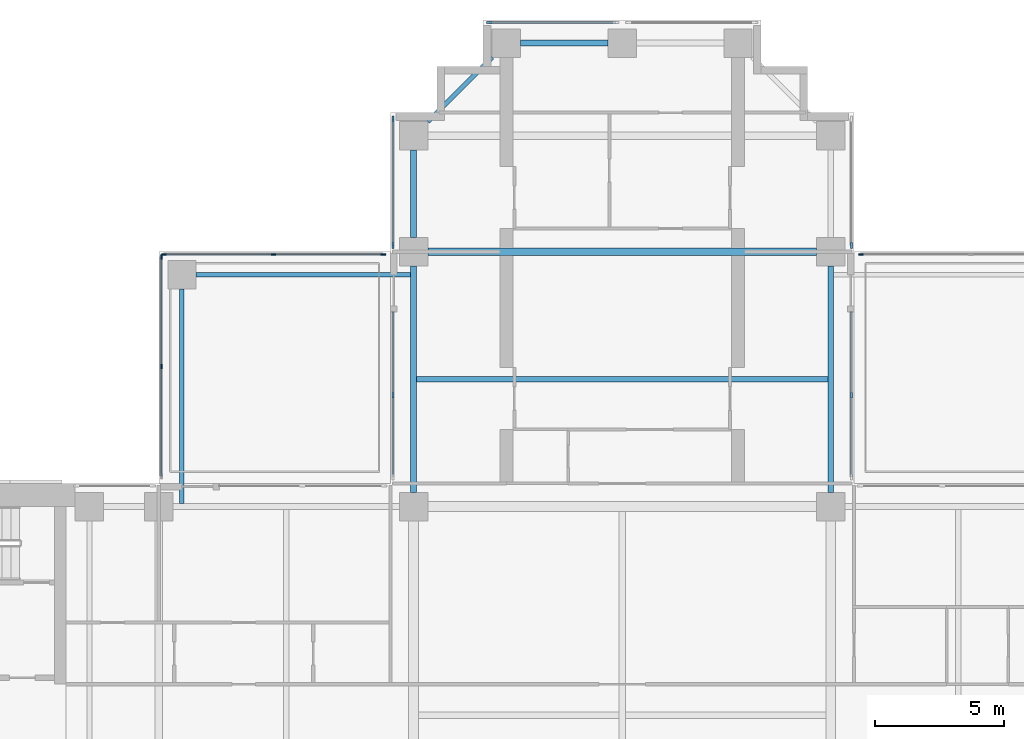
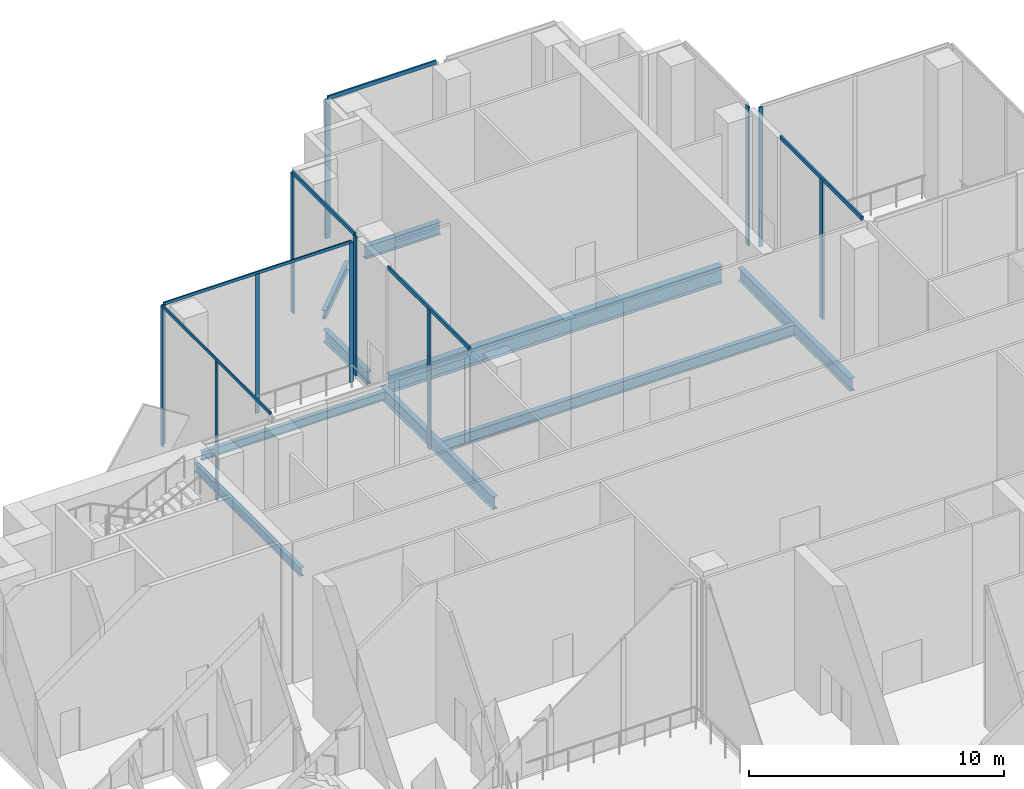
# One storey, part 5 of 17: 18 members, 9 beams, 8 elements without a shape of their own.
"""IFC4 building model written with IfcOpenShell, lengths in metres."""

import ifcopenshell
import ifcopenshell.guid

model = None  # the IFC model being written
_history = None  # IfcOwnerHistory: only IFC2X3 demands one
_inside = {}  # id of a spatial element -> (the spatial element, [elements in it])
_under = {}  # id of a project, library or spatial element -> (it, [spatial elements below it])
_declared = {}  # id of a project -> (the project, [libraries it declares])
_typed = {}  # id of a type object -> (the type object, [elements of that type])
_made_of = {}  # id of a material, layer set ... -> (it, [elements and type objects made of it])


def new_model(schema):
    """Start an empty IFC model of exactly this schema.

    Asked for "IFC4X3", IfcOpenShell would pick the latest addendum, in which some entities
    have other attributes; the version numbers below select the first issue.
    IFC2X3 requires an IfcOwnerHistory on every rooted entity: one is made here for all.
    """
    global model, _history
    if schema == "IFC4X3":
        model = ifcopenshell.file(schema_version=(4, 3, 0, 0))
    else:
        model = ifcopenshell.file(schema=schema)
    _inside.clear()
    _under.clear()
    _declared.clear()
    _typed.clear()
    _made_of.clear()
    _history = None
    if model.schema == "IFC2X3":
        org = make("IfcOrganization", Name="unknown")
        user = make(
            "IfcPersonAndOrganization",
            ThePerson=make("IfcPerson", FamilyName="unknown"),
            TheOrganization=org,
        )
        app = make(
            "IfcApplication",
            ApplicationDeveloper=org,
            Version="unknown",
            ApplicationFullName="unknown",
            ApplicationIdentifier="unknown",
        )
        _history = make(
            "IfcOwnerHistory",
            OwningUser=user,
            OwningApplication=app,
            ChangeAction="ADDED",
            CreationDate=0,
        )
    return model


def make(cls, **values):
    """One entity of the class cls with the attributes given. An attribute that is None is left unset."""
    return model.create_entity(
        cls, **{name: value for name, value in values.items() if value is not None}
    )


def rooted(cls, **values):
    """An entity with a GlobalId (a new one), such as an element, a storey or a relation."""
    return make(cls, GlobalId=ifcopenshell.guid.new(), OwnerHistory=_history, **values)


def si_unit(unit_type, name, prefix=None):
    """IfcSIUnit, for example si_unit("LENGTHUNIT", "METRE", prefix="MILLI")."""
    return make("IfcSIUnit", UnitType=unit_type, Prefix=prefix, Name=name)


def assignment(units):
    """IfcUnitAssignment: the units of a project."""
    return None if units is None else make("IfcUnitAssignment", Units=units)


def point(xyz):
    """IfcCartesianPoint."""
    return None if xyz is None else make("IfcCartesianPoint", Coordinates=xyz)


def direction(xyz):
    """IfcDirection."""
    return None if xyz is None else make("IfcDirection", DirectionRatios=xyz)


def frame(location, z_axis=None, x_axis=None):
    """IfcAxis2Placement3D, a coordinate frame: its origin and axes. An axis left out is left unset."""
    return make(
        "IfcAxis2Placement3D",
        Location=point(location),
        Axis=direction(z_axis),
        RefDirection=direction(x_axis),
    )


def frame_2d(location, x_axis=None):
    """IfcAxis2Placement2D, a coordinate frame in the plane: its origin and x axis."""
    return make(
        "IfcAxis2Placement2D", Location=point(location), RefDirection=direction(x_axis)
    )


def origin():
    """The frame at (0, 0, 0) with its axes left unset."""
    return frame((0.0, 0.0, 0.0))


def origin_2d():
    """The frame at (0, 0) in the plane with its x axis left unset."""
    return frame_2d((0.0, 0.0))


def place(relative_to, where):
    """IfcLocalPlacement: puts the frame where relative to a parent placement (None: the world)."""
    return make(
        "IfcLocalPlacement", PlacementRelTo=relative_to, RelativePlacement=where
    )


def context(
    kind, dimensions, precision=None, world=None, true_north=None, identifier=None
):
    """IfcGeometricRepresentationContext, for example the 3D "Model" context."""
    return make(
        "IfcGeometricRepresentationContext",
        ContextIdentifier=identifier,
        ContextType=kind,
        CoordinateSpaceDimension=dimensions,
        Precision=precision,
        WorldCoordinateSystem=world,
        TrueNorth=true_north,
    )


def subcontext(parent, identifier, kind, view, scale=None):
    """IfcGeometricRepresentationSubContext, for example "Body" below "Model"."""
    return make(
        "IfcGeometricRepresentationSubContext",
        ContextIdentifier=identifier,
        ContextType=kind,
        ParentContext=parent,
        TargetScale=scale,
        TargetView=view,
    )


def project(units=None, contexts=None):
    """IfcProject with its units and contexts."""
    return rooted(
        "IfcProject",
        Name="project",
        RepresentationContexts=contexts,
        UnitsInContext=assignment(units),
    )


def spatial(cls, under=None, at=None, **own):
    """A site, building, storey or space (cls), placed at a placement, below another one or the project."""
    s = rooted(cls, ObjectPlacement=at, **own)
    if under is not None:
        _under.setdefault(under.id(), (under, []))[1].append(s)
    return s


def profile(cls, at=None, kind="AREA", **sizes):
    """A parametric profile (cls). Its sizes go by their IFC names, for example OverallWidth=200.0."""
    return make(cls, ProfileType=kind, Position=at, **sizes)


def rectangle(**sizes):
    """IfcRectangleProfileDef."""
    return profile("IfcRectangleProfileDef", **sizes)


def i_section(**sizes):
    """IfcIShapeProfileDef."""
    return profile("IfcIShapeProfileDef", **sizes)


def extrude(swept, where, along, depth):
    """IfcExtrudedAreaSolid: the profile swept, set in the frame where, extruded along a direction by depth."""
    return make(
        "IfcExtrudedAreaSolid",
        SweptArea=swept,
        Position=where,
        ExtrudedDirection=direction(along),
        Depth=depth,
    )


def shape(context_of_items, identifier, shape_type, items):
    """IfcShapeRepresentation: the items that make up one representation, for example the "Body"."""
    return make(
        "IfcShapeRepresentation",
        ContextOfItems=context_of_items,
        RepresentationIdentifier=identifier,
        RepresentationType=shape_type,
        Items=items,
    )


def material(Name=None, Category=None):
    """IfcMaterial."""
    return make("IfcMaterial", Name=Name, Category=Category)


def material_profile(
    of_material, cross_section, Name=None, Category=None, Priority=None
):
    """IfcMaterialProfile: a cross section and its material."""
    return make(
        "IfcMaterialProfile",
        Name=Name,
        Material=of_material,
        Profile=cross_section,
        Priority=Priority,
        Category=Category,
    )


def profile_set(profiles, Name=None, composite=None):
    """IfcMaterialProfileSet."""
    return make(
        "IfcMaterialProfileSet",
        Name=Name,
        MaterialProfiles=profiles,
        CompositeProfile=composite,
    )


def made_of(thing, what):
    """Note that an element or type object is made of a material, layer set ...; save() writes the relation."""
    if what is not None:
        _made_of.setdefault(what.id(), (what, []))[1].append(thing)
    return thing


def type_object(cls, material=None, **own):
    """A type object (cls), such as IfcWallType, which elements share."""
    return made_of(rooted(cls, **own), material)


def element(
    cls,
    number,
    at=None,
    inside=None,
    cuts=None,
    type_object=None,
    material=None,
    context=None,
    identifier="Body",
    shape_type=None,
    held_by="IfcProductDefinitionShape",
    body=None,
    shapes=None,
    **own,
):
    """One element of the class cls, such as IfcWall. Its Tag is "e" and its number.

    at: its placement. inside: the storey or other place that contains it. cuts: it is an
    opening in that element (IfcRelVoidsElement). A single representation is given by context,
    identifier, shape_type and body (its items); several are given by shapes. held_by: the class
    of the entity that holds the representations. save() writes the other relations.
    """
    e = rooted(cls, Tag="e%d" % number, ObjectPlacement=at, **own)
    if body is not None:
        shapes = [shape(context, identifier, shape_type, body)]
    if shapes is not None:
        e.Representation = make(held_by, Representations=shapes)
    if inside is not None:
        _inside.setdefault(inside.id(), (inside, []))[1].append(e)
    if cuts is not None:
        rooted(
            "IfcRelVoidsElement", RelatingBuildingElement=cuts, RelatedOpeningElement=e
        )
    if type_object is not None:
        _typed.setdefault(type_object.id(), (type_object, []))[1].append(e)
    return made_of(e, material)


def aggregate(whole, parts):
    """IfcRelAggregates: a whole, such as a stair, and the parts it consists of."""
    return rooted("IfcRelAggregates", RelatingObject=whole, RelatedObjects=parts)


def save(model, path):
    """Write the relations noted so far, then the file.

    IfcRelAggregates (storeys below a building ...), IfcRelContainedInSpatialStructure (elements
    in a storey), IfcRelDefinesByType, IfcRelAssociatesMaterial and IfcRelDeclares: one each for
    every whole, place, type object, material and project.
    """
    for whole, parts in _under.values():
        aggregate(whole, parts)
    for where, things in _inside.values():
        rooted(
            "IfcRelContainedInSpatialStructure",
            RelatedElements=things,
            RelatingStructure=where,
        )
    for kind, things in _typed.values():
        rooted("IfcRelDefinesByType", RelatedObjects=things, RelatingType=kind)
    for what, things in _made_of.values():
        rooted("IfcRelAssociatesMaterial", RelatedObjects=things, RelatingMaterial=what)
    for by, libraries in _declared.values():
        rooted("IfcRelDeclares", RelatingContext=by, RelatedDefinitions=libraries)
    model.write(path)


model = new_model("IFC4")

# Units and contexts
model_context = context("Model", 3, precision=1e-05, world=origin(), true_north=direction((0.0, 1.0)))
body_context = subcontext(model_context, "Body", "Model", "MODEL_VIEW")
ifc_project = project(units=[si_unit("LENGTHUNIT", "METRE"), si_unit("AREAUNIT", "SQUARE_METRE"), si_unit("VOLUMEUNIT", "CUBIC_METRE"), si_unit("PLANEANGLEUNIT", "RADIAN"), si_unit("MASSUNIT", "GRAM", prefix="KILO")], contexts=[model_context])

# Site, building, storey
site_placement = place(None, origin())
site = spatial("IfcSite", under=ifc_project, at=site_placement, CompositionType="ELEMENT")
building_placement = place(site_placement, origin())
building = spatial("IfcBuilding", under=site, at=building_placement, Name="Perihelion Cross Residences", CompositionType="ELEMENT")
storey_placement = place(building_placement, frame((0.0, 0.0, 154.89990234375)))
storey = spatial("IfcBuildingStorey", under=building, at=storey_placement, Name="L38", CompositionType="ELEMENT", Elevation=154.89990234375)

# Curtain wall, member
ifc_material_1 = material(Name="Bronze anodised aluminium, tinted glazing", Category="aluminium")
curtain_wall_type_1 = type_object("IfcCurtainWallType", Name="CW3", PredefinedType="NOTDEFINED", material=ifc_material_1)
curtain_wall_1_placement = place(storey_placement, origin())
curtain_wall_1 = element("IfcCurtainWall", 1, at=curtain_wall_1_placement, inside=storey, type_object=curtain_wall_type_1, Name="Curtain wall CW3 L38 north side east bay 1", PredefinedType="NOTDEFINED")
ifc_material_2 = material(Name="Bronze anodised aluminium", Category="aluminium")
ifc_material_profile_1 = material_profile(ifc_material_2, rectangle(XDim=0.080078125, YDim=0.219970703125, at=origin_2d()), Name="CW3 mullion")
ifc_profile_set_1 = profile_set([ifc_material_profile_1], Name="Bronze anodised aluminium")
member_type_1 = type_object("IfcMemberType", Name="CW3 mullion", PredefinedType="MULLION", material=ifc_profile_set_1)
member_1_placement = place(storey_placement, frame((8.89990234375, 12.425048828125, 0.0), z_axis=(0.0, 0.0, 1.0), x_axis=(-1.0, 0.0, 0.0)))
member_1 = element("IfcMember", 2, at=member_1_placement, type_object=member_type_1, Name="CW3 mullion 2", PredefinedType="MULLION", context=body_context, shape_type="SweptSolid", body=[
    extrude(rectangle(XDim=0.080078125, YDim=0.219970703125, at=origin_2d()), origin(), (0.0, 0.0, 1.0), 6.670166015625),
])

curtain_wall_2_placement = place(storey_placement, origin())
curtain_wall_2 = element("IfcCurtainWall", 3, at=curtain_wall_2_placement, inside=storey, type_object=curtain_wall_type_1, Name="Curtain wall CW3 L38 north side east bay 2", PredefinedType="NOTDEFINED")
member_2_placement = place(storey_placement, frame((8.89990234375, 18.239990234375, 0.0), z_axis=(0.0, 0.0, 1.0), x_axis=(-1.0, 0.0, 0.0)))
member_2 = element("IfcMember", 4, at=member_2_placement, type_object=member_type_1, Name="CW3 mullion 1", PredefinedType="MULLION", context=body_context, shape_type="SweptSolid", body=[
    extrude(rectangle(XDim=0.080078125, YDim=0.219970703125, at=origin_2d()), origin(), (0.0, 0.0, 1.0), 6.670166015625),
])
aggregate(curtain_wall_2, [member_2])

curtain_wall_3_placement = place(storey_placement, origin())
curtain_wall_3 = element("IfcCurtainWall", 5, at=curtain_wall_3_placement, inside=storey, type_object=curtain_wall_type_1, Name="Curtain wall CW3 L38 north tip north bay 2", PredefinedType="NOTDEFINED")
member_3_placement = place(storey_placement, frame((-5.159912109375, 26.89990234375, 0.0), z_axis=(0.0, 0.0, 1.0), x_axis=(0.0, -1.0, 0.0)))
member_3 = element("IfcMember", 6, at=member_3_placement, type_object=member_type_1, Name="CW3 mullion 2", PredefinedType="MULLION", context=body_context, shape_type="SweptSolid", body=[
    extrude(rectangle(XDim=0.080078125, YDim=0.219970703125, at=origin_2d()), origin(), (0.0, 0.0, 1.0), 6.670166015625),
])

# Curtain wall, members
curtain_wall_4_placement = place(storey_placement, origin())
curtain_wall_4 = element("IfcCurtainWall", 7, at=curtain_wall_4_placement, inside=storey, type_object=curtain_wall_type_1, Name="Curtain wall CW3 L38 north side west bay 1", PredefinedType="NOTDEFINED")
member_4_placement = place(storey_placement, frame((-8.89990234375, 23.159912109375, 0.0), z_axis=(0.0, 0.0, 1.0), x_axis=(1.0, 0.0, 0.0)))
member_4 = element("IfcMember", 8, at=member_4_placement, type_object=member_type_1, Name="CW3 mullion 1", PredefinedType="MULLION", context=body_context, shape_type="SweptSolid", body=[
    extrude(rectangle(XDim=0.080078125, YDim=0.219970703125, at=origin_2d()), origin(), (0.0, 0.0, 1.0), 6.670166015625),
])
member_5_placement = place(storey_placement, frame((-8.89990234375, 18.239990234375, 0.0), z_axis=(0.0, 0.0, 1.0), x_axis=(1.0, 0.0, 0.0)))
member_5 = element("IfcMember", 9, at=member_5_placement, type_object=member_type_1, Name="CW3 mullion 2", PredefinedType="MULLION", context=body_context, shape_type="SweptSolid", body=[
    extrude(rectangle(XDim=0.080078125, YDim=0.219970703125, at=origin_2d()), origin(), (0.0, 0.0, 1.0), 6.670166015625),
])

# Curtain wall, member
curtain_wall_5_placement = place(storey_placement, origin())
curtain_wall_5 = element("IfcCurtainWall", 10, at=curtain_wall_5_placement, inside=storey, type_object=curtain_wall_type_1, Name="Curtain wall CW3 L38 north side west bay 2", PredefinedType="NOTDEFINED")
member_6_placement = place(storey_placement, frame((-8.89990234375, 12.425048828125, 0.0), z_axis=(0.0, 0.0, 1.0), x_axis=(1.0, 0.0, 0.0)))
member_6 = element("IfcMember", 11, at=member_6_placement, type_object=member_type_1, Name="CW3 mullion 2", PredefinedType="MULLION", context=body_context, shape_type="SweptSolid", body=[
    extrude(rectangle(XDim=0.080078125, YDim=0.219970703125, at=origin_2d()), origin(), (0.0, 0.0, 1.0), 6.670166015625),
])

# Member
ifc_material_3 = material(Name="Bronze anodised aluminium", Category="aluminium")
ifc_material_profile_2 = material_profile(ifc_material_3, rectangle(XDim=0.080078125, YDim=0.179931640625, at=origin_2d()), Name="CW3 transom")
ifc_profile_set_2 = profile_set([ifc_material_profile_2], Name="Bronze anodised aluminium")
member_type_2 = type_object("IfcMemberType", Name="CW3 transom", PredefinedType="USERDEFINED", material=ifc_profile_set_2)
member_7_placement = place(storey_placement, frame((8.89990234375, 9.239990234375, 6.710205078125), z_axis=(0.0, 1.0, 0.0), x_axis=(-1.0, 0.0, 0.0)))
member_7 = element("IfcMember", 12, at=member_7_placement, type_object=member_type_2, Name="CW3 head transom", ObjectType="TRANSOM", PredefinedType="USERDEFINED", context=body_context, shape_type="SweptSolid", body=[
    extrude(rectangle(XDim=0.080078125, YDim=0.179931640625, at=origin_2d()), origin(), (0.0, 0.0, 1.0), 6.409912109375),
])

aggregate(curtain_wall_1, [member_1, member_7])

member_8_placement = place(storey_placement, frame((-0.239990234375, 26.89990234375, 6.710205078125), z_axis=(-1.0, 0.0, 0.0), x_axis=(0.0, -1.0, 0.0)))
member_8 = element("IfcMember", 13, at=member_8_placement, type_object=member_type_2, Name="CW3 head transom", ObjectType="TRANSOM", PredefinedType="USERDEFINED", context=body_context, shape_type="SweptSolid", body=[
    extrude(rectangle(XDim=0.080078125, YDim=0.179931640625, at=origin_2d()), origin(), (0.0, 0.0, 1.0), 4.919921875),
])

aggregate(curtain_wall_3, [member_3, member_8])

member_9_placement = place(storey_placement, frame((-8.89990234375, 23.159912109375, 6.710205078125), z_axis=(0.0, -1.0, 0.0), x_axis=(1.0, 0.0, 0.0)))
member_9 = element("IfcMember", 14, at=member_9_placement, type_object=member_type_2, Name="CW3 head transom", ObjectType="TRANSOM", PredefinedType="USERDEFINED", context=body_context, shape_type="SweptSolid", body=[
    extrude(rectangle(XDim=0.080078125, YDim=0.179931640625, at=origin_2d()), origin(), (0.0, 0.0, 1.0), 4.919921875),
])

aggregate(curtain_wall_4, [member_4, member_5, member_9])

member_10_placement = place(storey_placement, frame((-8.89990234375, 15.64990234375, 6.710205078125), z_axis=(0.0, -1.0, 0.0), x_axis=(1.0, 0.0, 0.0)))
member_10 = element("IfcMember", 15, at=member_10_placement, type_object=member_type_2, Name="CW3 head transom", ObjectType="TRANSOM", PredefinedType="USERDEFINED", context=body_context, shape_type="SweptSolid", body=[
    extrude(rectangle(XDim=0.080078125, YDim=0.179931640625, at=origin_2d()), origin(), (0.0, 0.0, 1.0), 6.409912109375),
])

aggregate(curtain_wall_5, [member_6, member_10])

# Curtain wall, member
ifc_material_4 = material(Name="Bronze anodised aluminium, tinted glazing", Category="aluminium")
curtain_wall_type_2 = type_object("IfcCurtainWallType", Name="CW4", PredefinedType="NOTDEFINED", material=ifc_material_4)
curtain_wall_6_placement = place(storey_placement, origin())
curtain_wall_6 = element("IfcCurtainWall", 16, at=curtain_wall_6_placement, inside=storey, type_object=curtain_wall_type_2, Name="Curtain wall CW4 L38 pocket north-east 1 1", PredefinedType="NOTDEFINED")
ifc_material_5 = material(Name="Bronze anodised aluminium", Category="aluminium")
ifc_material_profile_3 = material_profile(ifc_material_5, rectangle(XDim=0.06005859375, YDim=0.179931640625, at=origin_2d()), Name="CW4 mullion")
ifc_profile_set_3 = profile_set([ifc_material_profile_3], Name="Bronze anodised aluminium")
member_type_3 = type_object("IfcMemberType", Name="CW4 mullion", PredefinedType="MULLION", material=ifc_profile_set_3)
member_11_placement = place(storey_placement, frame((9.280029296875, 17.89990234375, 0.0), z_axis=(0.0, 0.0, 1.0), x_axis=(0.0, 1.0, 0.0)))
member_11 = element("IfcMember", 17, at=member_11_placement, type_object=member_type_3, Name="CW4 mullion 1", PredefinedType="MULLION", context=body_context, shape_type="SweptSolid", body=[
    extrude(rectangle(XDim=0.06005859375, YDim=0.179931640625, at=origin_2d()), origin(), (0.0, 0.0, 1.0), 6.690185546875),
])
aggregate(curtain_wall_6, [member_11])

# Curtain wall, members
curtain_wall_7_placement = place(storey_placement, origin())
curtain_wall_7 = element("IfcCurtainWall", 18, at=curtain_wall_7_placement, inside=storey, type_object=curtain_wall_type_2, Name="Curtain wall CW4 L38 pocket north-west 1 1", PredefinedType="NOTDEFINED")
member_12_placement = place(storey_placement, frame((-17.89990234375, 13.5400390625, 0.0), z_axis=(0.0, 0.0, 1.0), x_axis=(-1.0, 0.0, 0.0)))
member_12 = element("IfcMember", 19, at=member_12_placement, type_object=member_type_3, Name="CW4 mullion 2", PredefinedType="MULLION", context=body_context, shape_type="SweptSolid", body=[
    extrude(rectangle(XDim=0.06005859375, YDim=0.179931640625, at=origin_2d()), origin(), (0.0, 0.0, 1.0), 6.690185546875),
])
member_13_placement = place(storey_placement, frame((-17.89990234375, 17.800048828125, 0.0), z_axis=(0.0, 0.0, 1.0), x_axis=(-1.0, 0.0, 0.0)))
member_13 = element("IfcMember", 20, at=member_13_placement, type_object=member_type_3, Name="CW4 mullion 3", PredefinedType="MULLION", context=body_context, shape_type="SweptSolid", body=[
    extrude(rectangle(XDim=0.06005859375, YDim=0.179931640625, at=origin_2d()), origin(), (0.0, 0.0, 1.0), 6.690185546875),
])

curtain_wall_8_placement = place(storey_placement, origin())
curtain_wall_8 = element("IfcCurtainWall", 21, at=curtain_wall_8_placement, inside=storey, type_object=curtain_wall_type_2, Name="Curtain wall CW4 L38 pocket north-west 1 2", PredefinedType="NOTDEFINED")
member_14_placement = place(storey_placement, frame((-17.800048828125, 17.89990234375, 0.0), z_axis=(0.0, 0.0, 1.0), x_axis=(0.0, 1.0, 0.0)))
member_14 = element("IfcMember", 22, at=member_14_placement, type_object=member_type_3, Name="CW4 mullion 1", PredefinedType="MULLION", context=body_context, shape_type="SweptSolid", body=[
    extrude(rectangle(XDim=0.06005859375, YDim=0.179931640625, at=origin_2d()), origin(), (0.0, 0.0, 1.0), 6.690185546875),
])
member_15_placement = place(storey_placement, frame((-13.5400390625, 17.89990234375, 0.0), z_axis=(0.0, 0.0, 1.0), x_axis=(0.0, 1.0, 0.0)))
member_15 = element("IfcMember", 23, at=member_15_placement, type_object=member_type_3, Name="CW4 mullion 2", PredefinedType="MULLION", context=body_context, shape_type="SweptSolid", body=[
    extrude(rectangle(XDim=0.06005859375, YDim=0.179931640625, at=origin_2d()), origin(), (0.0, 0.0, 1.0), 6.690185546875),
])
member_16_placement = place(storey_placement, frame((-9.280029296875, 17.89990234375, 0.0), z_axis=(0.0, 0.0, 1.0), x_axis=(0.0, 1.0, 0.0)))
member_16 = element("IfcMember", 24, at=member_16_placement, type_object=member_type_3, Name="CW4 mullion 3", PredefinedType="MULLION", context=body_context, shape_type="SweptSolid", body=[
    extrude(rectangle(XDim=0.06005859375, YDim=0.179931640625, at=origin_2d()), origin(), (0.0, 0.0, 1.0), 6.690185546875),
])

# Member
ifc_material_6 = material(Name="Bronze anodised aluminium", Category="aluminium")
ifc_material_profile_4 = material_profile(ifc_material_6, rectangle(XDim=0.06005859375, YDim=0.139892578125, at=origin_2d()), Name="CW4 transom")
ifc_profile_set_4 = profile_set([ifc_material_profile_4], Name="Bronze anodised aluminium")
member_type_4 = type_object("IfcMemberType", Name="CW4 transom", PredefinedType="USERDEFINED", material=ifc_profile_set_4)
member_17_placement = place(storey_placement, frame((-17.89990234375, 9.280029296875, 6.72021484375), z_axis=(0.0, 1.0, 0.0), x_axis=(-1.0, 0.0, 0.0)))
member_17 = element("IfcMember", 25, at=member_17_placement, type_object=member_type_4, Name="CW4 head transom", ObjectType="TRANSOM", PredefinedType="USERDEFINED", context=body_context, shape_type="SweptSolid", body=[
    extrude(rectangle(XDim=0.06005859375, YDim=0.139892578125, at=origin_2d()), origin(), (0.0, 0.0, 1.0), 8.52001953125),
])

aggregate(curtain_wall_7, [member_12, member_13, member_17])

member_18_placement = place(storey_placement, frame((-17.800048828125, 17.89990234375, 6.72021484375), z_axis=(1.0, 0.0, 0.0), x_axis=(0.0, 1.0, 0.0)))
member_18 = element("IfcMember", 26, at=member_18_placement, type_object=member_type_4, Name="CW4 head transom", ObjectType="TRANSOM", PredefinedType="USERDEFINED", context=body_context, shape_type="SweptSolid", body=[
    extrude(rectangle(XDim=0.06005859375, YDim=0.139892578125, at=origin_2d()), origin(), (0.0, 0.0, 1.0), 8.52001953125),
])

aggregate(curtain_wall_8, [member_14, member_15, member_16, member_18])

# Beams
ifc_material_7 = material(Name="Steel S355", Category="steel")
ifc_material_profile_5 = material_profile(ifc_material_7, i_section(OverallWidth=0.177978515625, OverallDepth=0.406005859375, WebThickness=0.0078125, FlangeThickness=0.0126953125, at=origin_2d()), Name="W410x60")
ifc_profile_set_5 = profile_set([ifc_material_profile_5], Name="Steel S355")
beam_type_1 = type_object("IfcBeamType", Name="Core edge beam W410x60", PredefinedType="BEAM", material=ifc_profile_set_5)
for number, where, z_axis, x_axis, name in (
    (27, (-17.10009765625, 8.214599609375, -0.5029296875), (0.0, 1.0, 0.0), (-1.0, 0.0, 0.0), "Core edge beam TB2 L38 corner no. 3"),
    (28, (-8.214599609375, 17.10009765625, -0.5029296875), (-1.0, 0.0, 0.0), (0.0, -1.0, 0.0), "Core edge beam TB2 L38 corner no. 4"),
):
    element("IfcBeam", number, at=place(storey_placement, frame(where, z_axis=z_axis, x_axis=x_axis)), inside=storey, type_object=beam_type_1, Name=name, PredefinedType="BEAM", context=body_context, shape_type="SweptSolid", body=[
        extrude(i_section(OverallWidth=0.177978515625, OverallDepth=0.406005859375, WebThickness=0.0078125, FlangeThickness=0.0126953125, at=origin_2d()), origin(), (0.0, 0.0, 1.0), 8.33544921875),
    ])
ifc_material_8 = material(Name="Steel S355", Category="steel")
ifc_material_profile_6 = material_profile(ifc_material_8, i_section(OverallWidth=0.22900390625, OverallDepth=0.612060546875, WebThickness=0.011962890625, FlangeThickness=0.01953125, at=origin_2d()), Name="W610x125")
ifc_profile_set_6 = profile_set([ifc_material_profile_6], Name="Steel S355")
beam_type_2 = type_object("IfcBeamType", Name="Edge beam W610x125", PredefinedType="SPANDREL", material=ifc_profile_set_6)
beam_1_placement = place(storey_placement, frame((8.10009765625, 8.64990234375, -0.60595703125), z_axis=(0.0, 1.0, 0.0), x_axis=(-1.0, 0.0, 0.0)))
element("IfcBeam", 29, at=beam_1_placement, inside=storey, type_object=beam_type_2, Name="Edge beam SB3 L38 no. 18", PredefinedType="SPANDREL", context=body_context, shape_type="SweptSolid", body=[
    extrude(i_section(OverallWidth=0.22900390625, OverallDepth=0.612060546875, WebThickness=0.011962890625, FlangeThickness=0.01953125, at=origin_2d()), origin(), (0.0, 0.0, 1.0), 8.800048828125),
])
for number, where, z_axis, x_axis, name in (
    (30, (-0.550048828125, 26.10009765625, -0.60595703125), (-1.0, 0.0, 0.0), (0.0, -1.0, 0.0), "Edge beam SB3 L38 no. 10"),
    (31, (-8.10009765625, 21.949951171875, -0.60595703125), (0.0, -1.0, 0.0), (1.0, 0.0, 0.0), "Edge beam SB3 L38 no. 7"),
):
    element("IfcBeam", number, at=place(storey_placement, frame(where, z_axis=z_axis, x_axis=x_axis)), inside=storey, type_object=beam_type_2, Name=name, PredefinedType="SPANDREL", context=body_context, shape_type="SweptSolid", body=[
        extrude(i_section(OverallWidth=0.22900390625, OverallDepth=0.612060546875, WebThickness=0.011962890625, FlangeThickness=0.01953125, at=origin_2d()), origin(), (0.0, 0.0, 1.0), 3.39990234375),
    ])
beam_2_placement = place(storey_placement, frame((-8.10009765625, 17.449951171875, -0.60595703125), z_axis=(0.0, -1.0, 0.0), x_axis=(1.0, 0.0, 0.0)))
element("IfcBeam", 32, at=beam_2_placement, inside=storey, type_object=beam_type_2, Name="Edge beam SB3 L38 no. 6", PredefinedType="SPANDREL", context=body_context, shape_type="SweptSolid", body=[
    extrude(i_section(OverallWidth=0.22900390625, OverallDepth=0.612060546875, WebThickness=0.011962890625, FlangeThickness=0.01953125, at=origin_2d()), origin(), (0.0, 0.0, 1.0), 8.800048828125),
])
ifc_material_9 = material(Name="Steel S355", Category="steel")
ifc_material_profile_7 = material_profile(ifc_material_9, i_section(OverallWidth=0.2919921875, OverallDepth=0.8359375, WebThickness=0.013916015625, FlangeThickness=0.018798828125, at=origin_2d()), Name="W840x176")
ifc_profile_set_7 = profile_set([ifc_material_profile_7], Name="Steel S355")
beam_type_3 = type_object("IfcBeamType", Name="Floor girder W840x176", PredefinedType="BEAM", material=ifc_profile_set_7)
beam_3_placement = place(storey_placement, frame((-7.550048828125, 18.0, -0.718017578125), z_axis=(1.0, 0.0, 0.0), x_axis=(0.0, 1.0, 0.0)))
element("IfcBeam", 33, at=beam_3_placement, inside=storey, type_object=beam_type_3, Name="Girder G3 L38 no. 4", PredefinedType="BEAM", context=body_context, shape_type="SweptSolid", body=[
    extrude(i_section(OverallWidth=0.2919921875, OverallDepth=0.8359375, WebThickness=0.013916015625, FlangeThickness=0.018798828125, at=origin_2d()), origin(), (0.0, 0.0, 1.0), 15.10009765625),
])
ifc_material_10 = material(Name="Steel S355", Category="steel")
ifc_material_profile_8 = material_profile(ifc_material_10, i_section(OverallWidth=0.208984375, OverallDepth=0.532958984375, WebThickness=0.01025390625, FlangeThickness=0.015625, at=origin_2d()), Name="W530x92")
ifc_profile_set_8 = profile_set([ifc_material_profile_8], Name="Steel S355")
beam_type_4 = type_object("IfcBeamType", Name="Floor joist W530x92", PredefinedType="JOIST", material=ifc_profile_set_8)
beam_4_placement = place(storey_placement, frame((-7.985595703125, 13.050048828125, -0.56640625), z_axis=(1.0, 0.0, 0.0), x_axis=(0.0, 1.0, 0.0)))
element("IfcBeam", 34, at=beam_4_placement, inside=storey, type_object=beam_type_4, Name="Joist J4 L38 no. 4", PredefinedType="JOIST", context=body_context, shape_type="SweptSolid", body=[
    extrude(i_section(OverallWidth=0.208984375, OverallDepth=0.532958984375, WebThickness=0.01025390625, FlangeThickness=0.015625, at=origin_2d()), origin(), (0.0, 0.0, 1.0), 15.97119140625),
])
ifc_material_11 = material(Name="Steel S355", Category="steel")
ifc_material_profile_9 = material_profile(ifc_material_11, i_section(OverallWidth=0.180908203125, OverallDepth=0.4169921875, WebThickness=0.010986328125, FlangeThickness=0.018310546875, at=origin_2d()), Name="W410x85")
ifc_profile_set_9 = profile_set([ifc_material_profile_9], Name="Steel S355")
beam_type_5 = type_object("IfcBeamType", Name="Serration edge beam W410x85", PredefinedType="BEAM", material=ifc_profile_set_9)
beam_5_placement = place(storey_placement, frame((-5.050048828125, 25.550048828125, -0.50830078125), z_axis=(-0.707106781187, -0.707106781187, 0.0), x_axis=(0.707106781187, -0.707106781187, 0.0)))
element("IfcBeam", 35, at=beam_5_placement, inside=storey, type_object=beam_type_5, Name="Serration edge beam EB3 L38 no. 1", PredefinedType="BEAM", context=body_context, shape_type="SweptSolid", body=[
    extrude(i_section(OverallWidth=0.180908203125, OverallDepth=0.4169921875, WebThickness=0.010986328125, FlangeThickness=0.018310546875, at=origin_2d()), origin(), (0.0, 0.0, 1.0), 3.53564453125),
])

save(model, "model.ifc")
